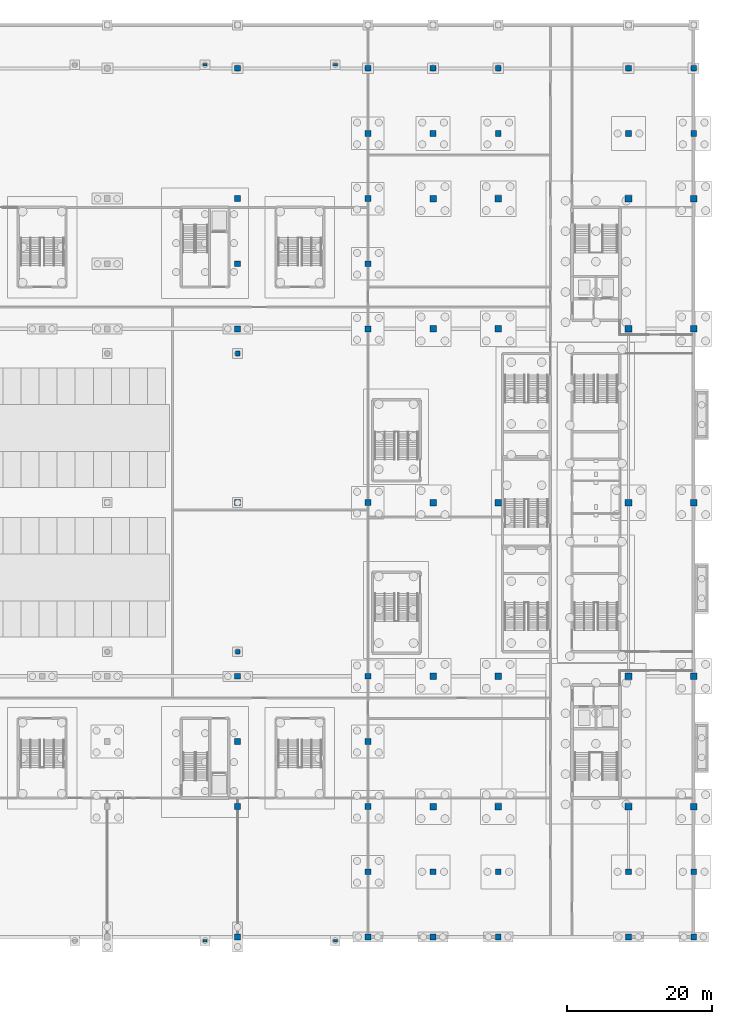
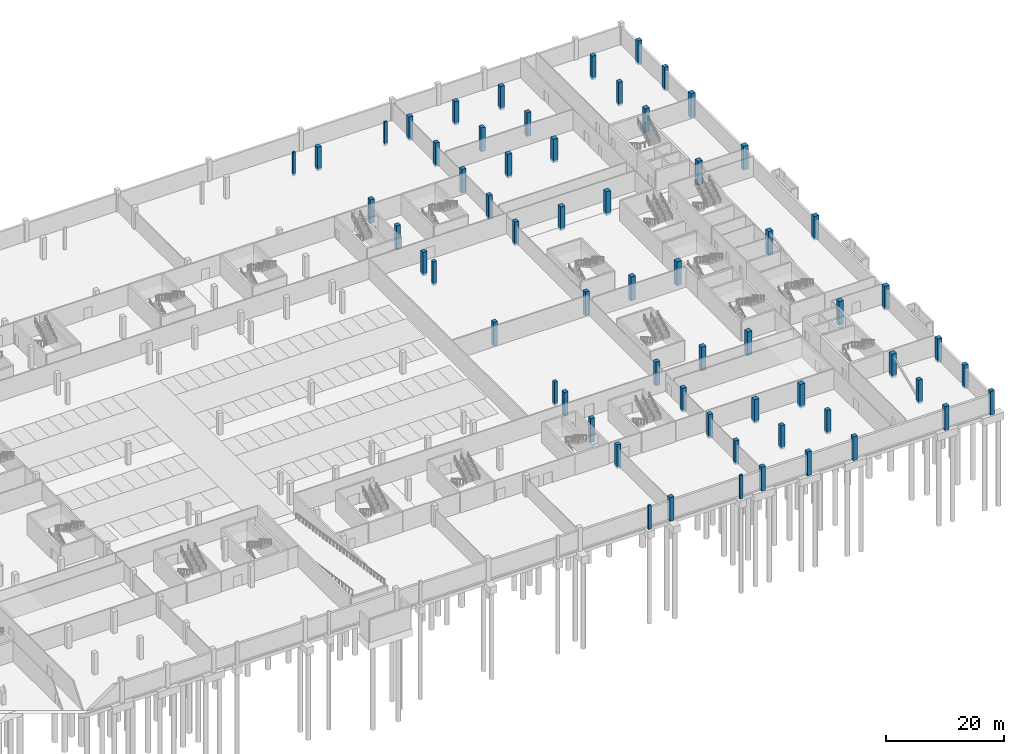
# One storey, part 11 of 46: 62 columns.
"""IFC4 building model written with IfcOpenShell, lengths in metres."""

from ifc_helpers import new_model, si_unit, direction, frame, origin, origin_2d, place, context, subcontext, project, spatial, rectangle, extrude, material, material_profile, profile_set, type_object, element, save


model = new_model("IFC4")

# Units and contexts
model_context = context("Model", 3, precision=1e-05, world=origin(), true_north=direction((0.0, 1.0)))
body_context = subcontext(model_context, "Body", "Model", "MODEL_VIEW")
ifc_project = project(units=[si_unit("LENGTHUNIT", "METRE"), si_unit("AREAUNIT", "SQUARE_METRE"), si_unit("VOLUMEUNIT", "CUBIC_METRE"), si_unit("PLANEANGLEUNIT", "RADIAN"), si_unit("MASSUNIT", "GRAM", prefix="KILO")], contexts=[model_context])

# Site, building, storey
site_placement = place(None, origin())
site = spatial("IfcSite", under=ifc_project, at=site_placement, CompositionType="ELEMENT")
building_placement = place(site_placement, origin())
building = spatial("IfcBuilding", under=site, at=building_placement, Name="Kisiwana Market Hall", CompositionType="ELEMENT")
storey_placement = place(building_placement, frame((0.0, 0.0, -4.5)))
storey = spatial("IfcBuildingStorey", under=building, at=storey_placement, Name="B1", CompositionType="ELEMENT", Elevation=-4.5)

# Columns
ifc_material_1 = material(Name="Concrete C40/50", Category="concrete")
ifc_material_profile_1 = material_profile(ifc_material_1, rectangle(XDim=0.800048828125, YDim=0.800048828125, at=origin_2d()), Name="RC 800x800")
ifc_profile_set_1 = profile_set([ifc_material_profile_1], Name="Concrete C40/50")
column_type_1 = type_object("IfcColumnType", Name="COL-RC-B1-800", PredefinedType="COLUMN", material=ifc_profile_set_1)
for number, where, z_axis, x_axis, name in (
    (1, (135.0, 0.0, -0.449951171875), (0.0, 0.0, 1.0), (1.0, 0.0, 0.0), "Column A/16 (B1) C-0095"),
    (2, (135.0, 18.0, -0.449951171875), (0.0, 0.0, 1.0), (1.0, 0.0, 0.0), "Column C/16 (B1) C-0096"),
    (3, (135.0, 27.0, -0.449951171875), (0.0, 0.0, 1.0), (1.0, 0.0, 0.0), "Column D/16 (B1) C-0097"),
    (4, (135.0, 36.0, -0.449951171875), (0.0, 0.0, 1.0), (1.0, 0.0, 0.0), "Column E/16 (B1) C-0098"),
    (5, (135.0, 60.0, -0.449951171875), (0.0, 0.0, 1.0), (1.0, 0.0, 0.0), "Column H/16 (B1) C-0099"),
    (6, (135.0, 84.0, -0.449951171875), (0.0, 0.0, 1.0), (1.0, 0.0, 0.0), "Column L/16 (B1) C-0100"),
    (7, (135.0, 93.0, -0.449951171875), (0.0, 0.0, 1.0), (1.0, 0.0, 0.0), "Column M/16 (B1) C-0101"),
    (8, (135.0, 102.0, -0.449951171875), (0.0, 0.0, 1.0), (1.0, 0.0, 0.0), "Column N/16 (B1) C-0102"),
    (9, (135.0, 120.0, -0.449951171875), (0.0, 0.0, 1.0), (1.0, 0.0, 0.0), "Column Q/16 (B1) C-0103"),
    (10, (153.0, 0.0, -0.449951171875), (0.0, 0.0, 1.0), (1.0, 0.0, 0.0), "Column A/18 (B1) C-0105"),
    (11, (153.0, 9.0, -0.449951171875), (0.0, 0.0, 1.0), (1.0, 0.0, 0.0), "Column B/18 (B1) C-0106"),
    (12, (153.0, 18.0, -0.449951171875), (0.0, 0.0, 1.0), (1.0, 0.0, 0.0), "Column C/18 (B1) C-0107"),
    (13, (153.0, 27.0, -0.449951171875), (0.0, 0.0, 1.0), (1.0, 0.0, 0.0), "Column D/18 (B1) C-0108"),
    (14, (153.0, 36.0, -0.449951171875), (0.0, 0.0, 1.0), (1.0, 0.0, 0.0), "Column E/18 (B1) C-0109"),
    (15, (153.0, 60.0, -0.449951171875), (0.0, 0.0, 1.0), (1.0, 0.0, 0.0), "Column H/18 (B1) C-0110"),
    (16, (153.0, 84.0, -0.449951171875), (0.0, 0.0, 1.0), (1.0, 0.0, 0.0), "Column L/18 (B1) C-0111"),
    (17, (153.0, 93.0, -0.449951171875), (0.0, 0.0, 1.0), (1.0, 0.0, 0.0), "Column M/18 (B1) C-0112"),
    (18, (153.0, 102.0, -0.449951171875), (0.0, 0.0, 1.0), (1.0, 0.0, 0.0), "Column N/18 (B1) C-0113"),
    (19, (153.0, 111.0, -0.449951171875), (0.0, 0.0, 1.0), (1.0, 0.0, 0.0), "Column P/18 (B1) C-0114"),
    (20, (153.0, 120.0, -0.449951171875), (0.0, 0.0, 1.0), (1.0, 0.0, 0.0), "Column Q/18 (B1) C-0115"),
    (21, (162.0, 0.0, -0.449951171875), (0.0, 0.0, 1.0), (1.0, 0.0, 0.0), "Column A/19 (B1) C-0117"),
    (22, (162.0, 9.0, -0.449951171875), (0.0, 0.0, 1.0), (1.0, 0.0, 0.0), "Column B/19 (B1) C-0118"),
    (23, (162.0, 111.0, -0.449951171875), (0.0, 0.0, 1.0), (1.0, 0.0, 0.0), "Column P/19 (B1) C-0123"),
    (24, (162.0, 120.0, -0.449951171875), (0.0, 0.0, 1.0), (1.0, 0.0, 0.0), "Column Q/19 (B1) C-0124"),
    (25, (171.0, 0.0, -0.449951171875), (0.0, 0.0, 1.0), (1.0, 0.0, 0.0), "Column A/20 (B1) C-0126"),
    (26, (171.0, 9.0, -0.449951171875), (0.0, 0.0, 1.0), (1.0, 0.0, 0.0), "Column B/20 (B1) C-0127"),
    (27, (171.0, 111.0, -0.449951171875), (0.0, 0.0, 1.0), (1.0, 0.0, 0.0), "Column P/20 (B1) C-0133"),
    (28, (171.0, 120.0, -0.449951171875), (0.0, 0.0, 1.0), (1.0, 0.0, 0.0), "Column Q/20 (B1) C-0134"),
    (29, (189.0, 0.0, -0.449951171875), (0.0, 0.0, 1.0), (1.0, 0.0, 0.0), "Column A/22 (B1) C-0136"),
    (30, (189.0, 9.0, -0.449951171875), (0.0, 0.0, 1.0), (1.0, 0.0, 0.0), "Column B/22 (B1) C-0137"),
    (31, (189.0, 111.0, -0.449951171875), (0.0, 0.0, 1.0), (1.0, 0.0, 0.0), "Column P/22 (B1) C-0142"),
    (32, (189.0, 120.0, -0.449951171875), (0.0, 0.0, 1.0), (1.0, 0.0, 0.0), "Column Q/22 (B1) C-0143"),
    (33, (198.0, 0.0, -0.449951171875), (0.0, 0.0, 1.0), (1.0, 0.0, 0.0), "Column A/23 (B1) C-0145"),
    (34, (198.0, 9.0, -0.449951171875), (0.0, 0.0, 1.0), (1.0, 0.0, 0.0), "Column B/23 (B1) C-0146"),
    (35, (198.0, 111.0, -0.449951171875), (0.0, 0.0, 1.0), (1.0, 0.0, 0.0), "Column P/23 (B1) C-0152"),
    (36, (198.0, 120.0, -0.449951171875), (0.0, 0.0, 1.0), (1.0, 0.0, 0.0), "Column Q/23 (B1) C-0153"),
):
    element("IfcColumn", number, at=place(storey_placement, frame(where, z_axis=z_axis, x_axis=x_axis)), inside=storey, type_object=column_type_1, Name=name, PredefinedType="COLUMN", context=body_context, shape_type="SweptSolid", body=[
        extrude(rectangle(XDim=0.800048828125, YDim=0.800048828125, at=origin_2d()), origin(), (0.0, 0.0, 1.0), 4.949951171875),
    ])
ifc_material_2 = material(Name="Concrete C40/50", Category="concrete")
ifc_material_profile_2 = material_profile(ifc_material_2, rectangle(XDim=0.89990234375, YDim=0.89990234375, at=origin_2d()), Name="RC 900x900")
ifc_profile_set_2 = profile_set([ifc_material_profile_2], Name="Concrete C40/50")
column_type_2 = type_object("IfcColumnType", Name="COL-RC-B1-900", PredefinedType="COLUMN", material=ifc_profile_set_2)
for number, where, z_axis, x_axis, name in (
    (37, (162.0, 18.0, -0.449951171875), (0.0, 0.0, 1.0), (1.0, 0.0, 0.0), "Column C/19 (B1) C-0119"),
    (38, (162.0, 36.0, -0.449951171875), (0.0, 0.0, 1.0), (1.0, 0.0, 0.0), "Column E/19 (B1) C-0120"),
    (39, (162.0, 84.0, -0.449951171875), (0.0, 0.0, 1.0), (1.0, 0.0, 0.0), "Column L/19 (B1) C-0121"),
    (40, (162.0, 102.0, -0.449951171875), (0.0, 0.0, 1.0), (1.0, 0.0, 0.0), "Column N/19 (B1) C-0122"),
    (41, (171.0, 18.0, -0.449951171875), (0.0, 0.0, 1.0), (1.0, 0.0, 0.0), "Column C/20 (B1) C-0128"),
    (42, (171.0, 36.0, -0.449951171875), (0.0, 0.0, 1.0), (1.0, 0.0, 0.0), "Column E/20 (B1) C-0129"),
    (43, (171.0, 60.0, -0.449951171875), (0.0, 0.0, 1.0), (1.0, 0.0, 0.0), "Column H/20 (B1) C-0130"),
    (44, (171.0, 84.0, -0.449951171875), (0.0, 0.0, 1.0), (1.0, 0.0, 0.0), "Column L/20 (B1) C-0131"),
    (45, (171.0, 102.0, -0.449951171875), (0.0, 0.0, 1.0), (1.0, 0.0, 0.0), "Column N/20 (B1) C-0132"),
    (46, (189.0, 18.0, -0.449951171875), (0.0, 0.0, 1.0), (1.0, 0.0, 0.0), "Column C/22 (B1) C-0138"),
    (47, (189.0, 36.0, -0.449951171875), (0.0, 0.0, 1.0), (1.0, 0.0, 0.0), "Column E/22 (B1) C-0139"),
    (48, (189.0, 84.0, -0.449951171875), (0.0, 0.0, 1.0), (1.0, 0.0, 0.0), "Column L/22 (B1) C-0140"),
    (49, (189.0, 102.0, -0.449951171875), (0.0, 0.0, 1.0), (1.0, 0.0, 0.0), "Column N/22 (B1) C-0141"),
    (50, (198.0, 18.0, -0.449951171875), (0.0, 0.0, 1.0), (1.0, 0.0, 0.0), "Column C/23 (B1) C-0147"),
    (51, (198.0, 36.0, -0.449951171875), (0.0, 0.0, 1.0), (1.0, 0.0, 0.0), "Column E/23 (B1) C-0148"),
    (52, (198.0, 60.0, -0.449951171875), (0.0, 0.0, 1.0), (1.0, 0.0, 0.0), "Column H/23 (B1) C-0149"),
    (53, (198.0, 84.0, -0.449951171875), (0.0, 0.0, 1.0), (1.0, 0.0, 0.0), "Column L/23 (B1) C-0150"),
    (54, (198.0, 102.0, -0.449951171875), (0.0, 0.0, 1.0), (1.0, 0.0, 0.0), "Column N/23 (B1) C-0151"),
    (55, (162.0, 60.0, -0.449951171875), (0.0, 0.0, 1.0), (1.0, 0.0, 0.0), "Column H/19 (B1) C-0167"),
    (56, (189.0, 60.0, -0.449951171875), (0.0, 0.0, 1.0), (1.0, 0.0, 0.0), "Column H/22 (B1) C-0168"),
):
    element("IfcColumn", number, at=place(storey_placement, frame(where, z_axis=z_axis, x_axis=x_axis)), inside=storey, type_object=column_type_2, Name=name, PredefinedType="COLUMN", context=body_context, shape_type="SweptSolid", body=[
        extrude(rectangle(XDim=0.89990234375, YDim=0.89990234375, at=origin_2d()), origin(), (0.0, 0.0, 1.0), 4.949951171875),
    ])
ifc_material_3 = material(Name="Concrete C40/50", Category="concrete")
ifc_material_profile_3 = material_profile(ifc_material_3, rectangle(XDim=0.64990234375, YDim=0.64990234375, at=origin_2d()), Name="RC 650x650")
ifc_profile_set_3 = profile_set([ifc_material_profile_3], Name="Concrete C40/50")
column_type_3 = type_object("IfcColumnType", Name="COL-RC-POD-650", PredefinedType="COLUMN", material=ifc_profile_set_3)
for number, where, z_axis, x_axis, name in (
    (57, (135.0, 39.39990234375, -0.449951171875), (0.0, 0.0, 1.0), (1.0, 0.0, 0.0), "Column E/16 (B1) C-0163"),
    (58, (135.0, 80.60009765625, -0.449951171875), (0.0, 0.0, 1.0), (1.0, 0.0, 0.0), "Column L/16 (B1) C-0164"),
):
    element("IfcColumn", number, at=place(storey_placement, frame(where, z_axis=z_axis, x_axis=x_axis)), inside=storey, type_object=column_type_3, Name=name, PredefinedType="COLUMN", context=body_context, shape_type="SweptSolid", body=[
        extrude(rectangle(XDim=0.64990234375, YDim=0.64990234375, at=origin_2d()), origin(), (0.0, 0.0, 1.0), 4.949951171875),
    ])
ifc_material_4 = material(Name="Concrete C40/50", Category="concrete")
ifc_material_profile_4 = material_profile(ifc_material_4, rectangle(XDim=0.550048828125, YDim=0.35009765625, at=origin_2d()), Name="PIL 550x350")
ifc_profile_set_4 = profile_set([ifc_material_profile_4], Name="Concrete C40/50")
column_type_4 = type_object("IfcColumnType", Name="PIL-CONC-550", PredefinedType="PILASTER", material=ifc_profile_set_4)
for number, where, z_axis, x_axis, name in (
    (59, (130.5, -0.5, -0.449951171875), (0.0, 0.0, 1.0), (1.0, 0.0, 0.0), "Facade pilaster A/15 (B1) C-0173"),
    (60, (148.5, -0.5, -0.449951171875), (0.0, 0.0, 1.0), (1.0, 0.0, 0.0), "Facade pilaster A/17 (B1) C-0174"),
    (61, (130.5, 120.5, -0.449951171875), (0.0, 0.0, 1.0), (1.0, 0.0, 0.0), "Facade pilaster Q/15 (B1) C-0179"),
    (62, (148.5, 120.5, -0.449951171875), (0.0, 0.0, 1.0), (1.0, 0.0, 0.0), "Facade pilaster Q/17 (B1) C-0180"),
):
    element("IfcColumn", number, at=place(storey_placement, frame(where, z_axis=z_axis, x_axis=x_axis)), inside=storey, type_object=column_type_4, Name=name, PredefinedType="PILASTER", context=body_context, shape_type="SweptSolid", body=[
        extrude(rectangle(XDim=0.550048828125, YDim=0.35009765625, at=origin_2d()), origin(), (0.0, 0.0, 1.0), 4.949951171875),
    ])

save(model, "model.ifc")
